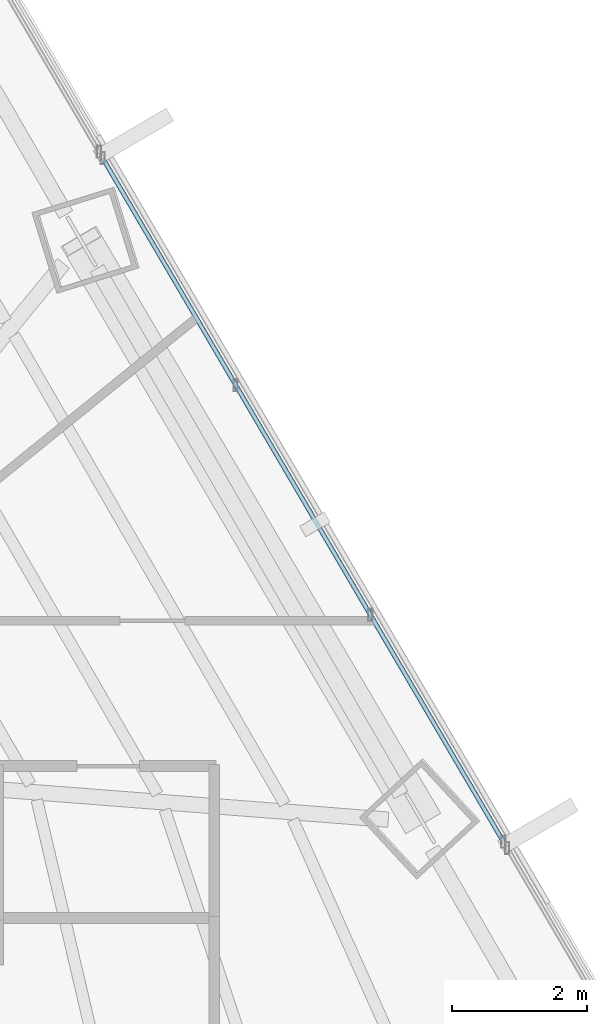
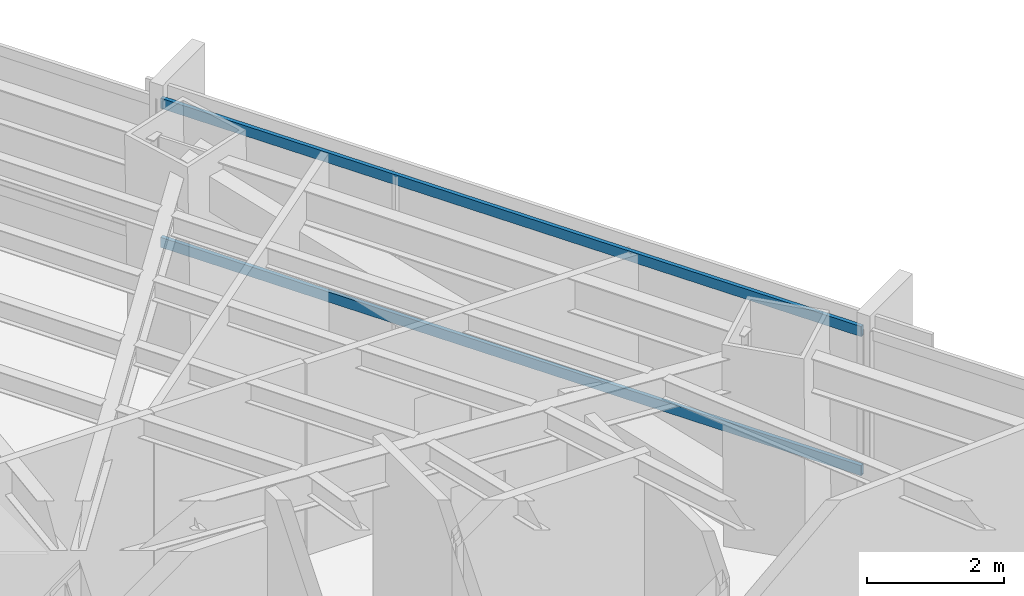
# One storey, part 20 of 33: 2 members, 1 element without a shape of its own.
"""IFC4 building model written with IfcOpenShell, lengths in metres."""

from ifc_helpers import new_model, si_unit, direction, frame, origin, origin_2d, place, context, subcontext, project, spatial, hollow_rectangle, extrude, source, transform, mapped, material, material_profile, profile_set, type_object, type_shapes, element, aggregate, save


model = new_model("IFC4")

# Units and contexts
model_context = context("Model", 3, precision=1e-05, world=origin(), true_north=direction((0.0, 1.0)))
body_context = subcontext(model_context, "Body", "Model", "MODEL_VIEW")
ifc_project = project(units=[si_unit("LENGTHUNIT", "METRE"), si_unit("AREAUNIT", "SQUARE_METRE"), si_unit("VOLUMEUNIT", "CUBIC_METRE"), si_unit("PLANEANGLEUNIT", "RADIAN"), si_unit("MASSUNIT", "GRAM", prefix="KILO")], contexts=[model_context])

# Site, building, storey
site_placement = place(None, origin())
site = spatial("IfcSite", under=ifc_project, at=site_placement, CompositionType="ELEMENT")
building_placement = place(site_placement, origin())
building = spatial("IfcBuilding", under=site, at=building_placement, Name="Caelisora Broadcast Tower", CompositionType="ELEMENT")
storey_placement = place(building_placement, frame((0.0, 0.0, 42.199951171875)))
storey = spatial("IfcBuildingStorey", under=building, at=storey_placement, Name="L10", CompositionType="ELEMENT", Elevation=42.199951171875)

# Curtain wall, members
ifc_material_1 = material(Name="Unitised Aluminium Insulated Shadow-Box Spandrel Curtain Wall", Category="aluminium")
curtain_wall_type = type_object("IfcCurtainWallType", Name="CW-SP1", PredefinedType="NOTDEFINED", material=ifc_material_1)
curtain_wall_placement = place(storey_placement, origin())
curtain_wall = element("IfcCurtainWall", 1, at=curtain_wall_placement, inside=storey, type_object=curtain_wall_type, Name="L10 curtain wall CW-SP1", PredefinedType="NOTDEFINED")
ifc_material_2 = material(Name="Aluminium 6063-T6 Anodised Terracotta Bronze", Category="aluminium")
ifc_material_profile = material_profile(ifc_material_2, hollow_rectangle(XDim=0.06494140625, YDim=0.179931640625, WallThickness=0.00341796875, at=origin_2d()), Name="Aluminium 6063-T6 Anodised Terracotta Bronze")
ifc_profile_set = profile_set([ifc_material_profile], Name="Aluminium 6063-T6 Anodised Terracotta Bronze")
member_type = type_object("IfcMemberType", Name="CWT-01", PredefinedType="USERDEFINED", material=ifc_profile_set)
shared_shape = source(origin(), body_context, "Body", "SweptSolid", [
    extrude(hollow_rectangle(XDim=0.06494140625, YDim=0.179931640625, WallThickness=0.00341796875, at=origin_2d()), origin(), (0.0, 0.0, 1.0), 11.725830078125),
])
type_shapes(member_type, [shared_shape])
member_1_placement = place(storey_placement, frame((52.14990234375, 38.94580078125, 0.85009765625), z_axis=(0.505712019011, -0.862702355293, 0.0), x_axis=(0.862702355293, 0.505712019011, 0.0)))
member_1 = element("IfcMember", 2, at=member_1_placement, type_object=member_type, Name="L10-CW-B02 transom #1", ObjectType="TRANSOM", PredefinedType="USERDEFINED", context=body_context, shape_type="MappedRepresentation", body=[
    mapped(shared_shape, transform((0.0, 0.0, 0.0), scale=1.0)),
])
member_2_placement = place(storey_placement, frame((52.14990234375, 38.94580078125, 3.320068359375), z_axis=(0.505712019011, -0.862702355293, 0.0), x_axis=(0.862702355293, 0.505712019011, 0.0)))
member_2 = element("IfcMember", 3, at=member_2_placement, type_object=member_type, Name="L10-CW-B02 transom #2", ObjectType="TRANSOM", PredefinedType="USERDEFINED", context=body_context, shape_type="MappedRepresentation", body=[
    mapped(shared_shape, transform((0.0, 0.0, 0.0), scale=1.0)),
])
aggregate(curtain_wall, [member_1, member_2])

save(model, "model.ifc")
